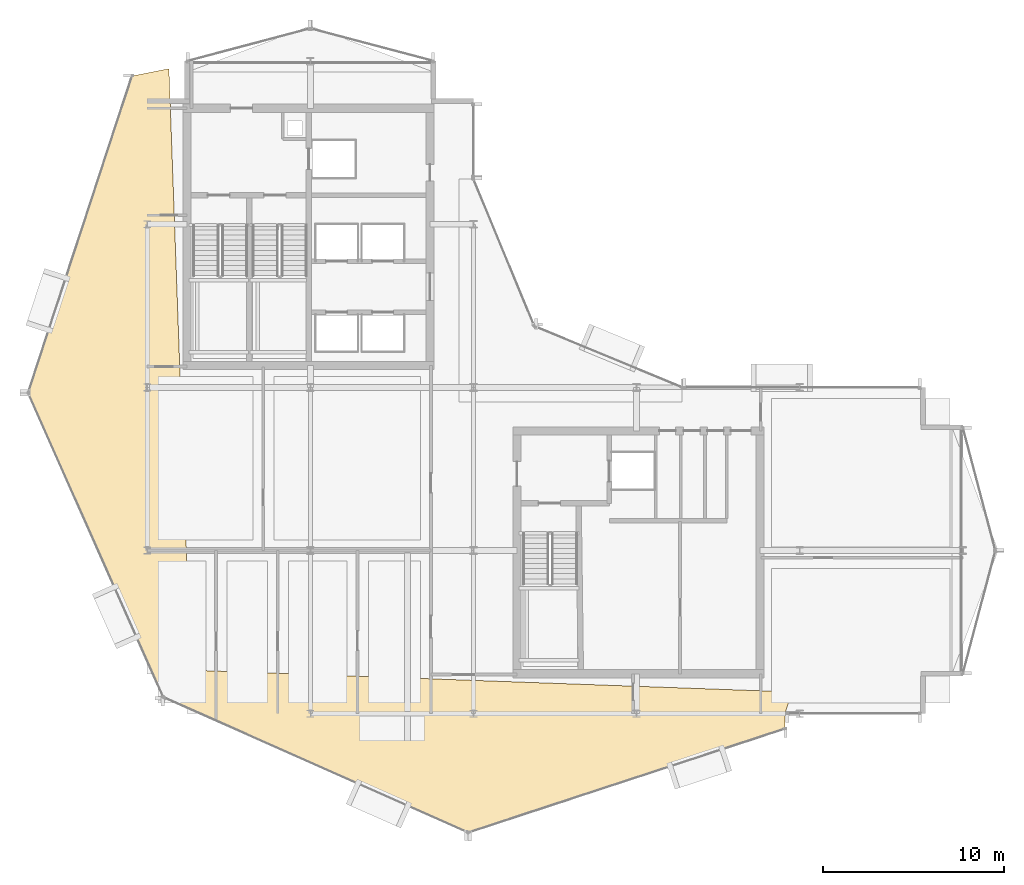
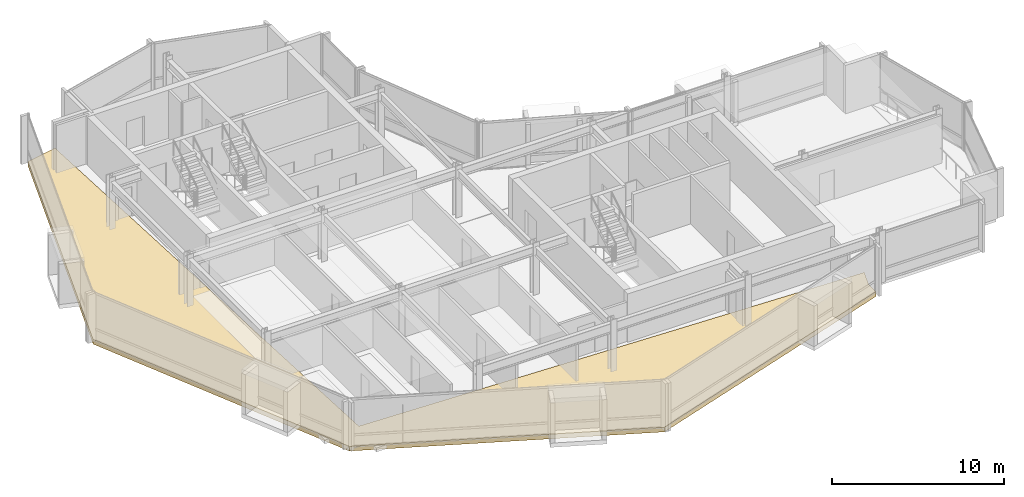
# One storey, part 24 of 27: 1 covering.
"""IFC4 building model written with IfcOpenShell, lengths in metres."""

from ifc_helpers import new_model, si_unit, direction, frame, origin, place, context, subcontext, project, spatial, polyline, outline, extrude, material, layer, layer_set, type_object, element, save


model = new_model("IFC4")

# Units and contexts
model_context = context("Model", 3, precision=1e-05, world=origin(), true_north=direction((0.0, 1.0)))
body_context = subcontext(model_context, "Body", "Model", "MODEL_VIEW")
ifc_project = project(units=[si_unit("LENGTHUNIT", "METRE"), si_unit("AREAUNIT", "SQUARE_METRE"), si_unit("VOLUMEUNIT", "CUBIC_METRE"), si_unit("PLANEANGLEUNIT", "RADIAN"), si_unit("MASSUNIT", "GRAM", prefix="KILO")], contexts=[model_context])

# Site, building, storey
site_placement = place(None, origin())
site = spatial("IfcSite", under=ifc_project, at=site_placement, CompositionType="ELEMENT")
building_placement = place(site_placement, origin())
building = spatial("IfcBuilding", under=site, at=building_placement, Name="Solvaryn Broadcast Tower", CompositionType="ELEMENT")
storey_placement = place(building_placement, frame((0.0, 0.0, 228.39990234375)))
storey = spatial("IfcBuildingStorey", under=building, at=storey_placement, Name="L57", CompositionType="ELEMENT", Elevation=228.39990234375)

# Covering
ifc_material = material(Name="Sculpted Architectural Terracotta Wave Fascia", Category="masonry")
ifc_layer = layer(ifc_material, 0.340087890625)
ifc_layer_set = layer_set([ifc_layer], Name="CV-WAVE-TRAY")
covering_type = type_object("IfcCoveringType", Name="CV-WAVE-TRAY", PredefinedType="CLADDING", material=ifc_layer_set)
covering_placement = place(storey_placement, frame((0.0, 0.0, -0.2998046875)))
element("IfcCovering", 1, at=covering_placement, inside=storey, type_object=covering_type, Name="L57 Stepped Cylindrical Drum Floor Apron", PredefinedType="CLADDING", context=body_context, shape_type="SweptSolid", body=[
    extrude(outline(polyline([(10.199951171875, 44.58203125), (8.1630859375, 44.181884765625), (2.43310546875, 26.7060546875), (9.89794921875, 9.89794921875), (26.7060546875, 2.43310546875), (44.181884765625, 8.1630859375), (44.181884765625, 9.0), (44.58203125, 10.199951171875), (11.39990234375, 11.39990234375), (10.199951171875, 44.58203125)])), origin(), (0.0, 0.0, 1.0), 0.329833984375),
])

save(model, "model.ifc")
